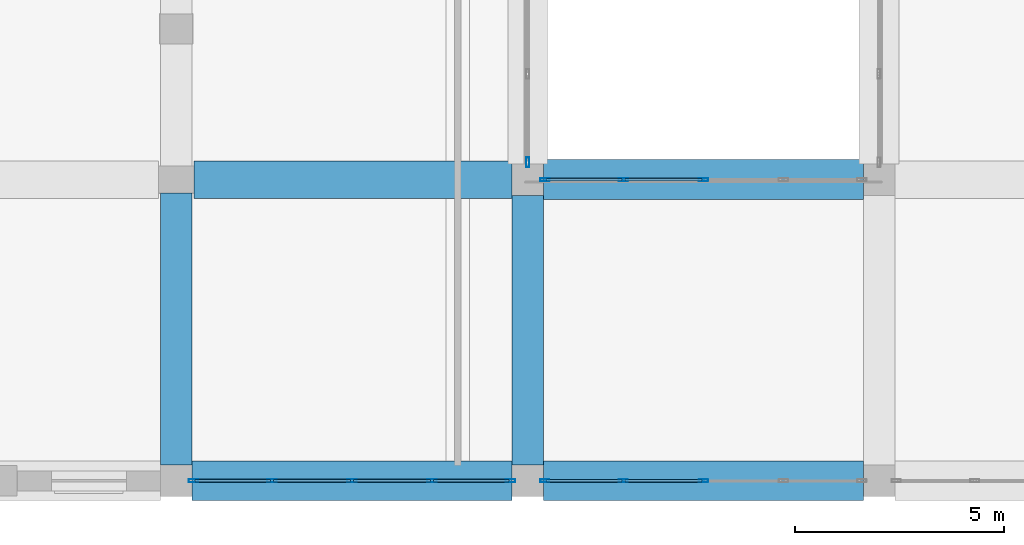
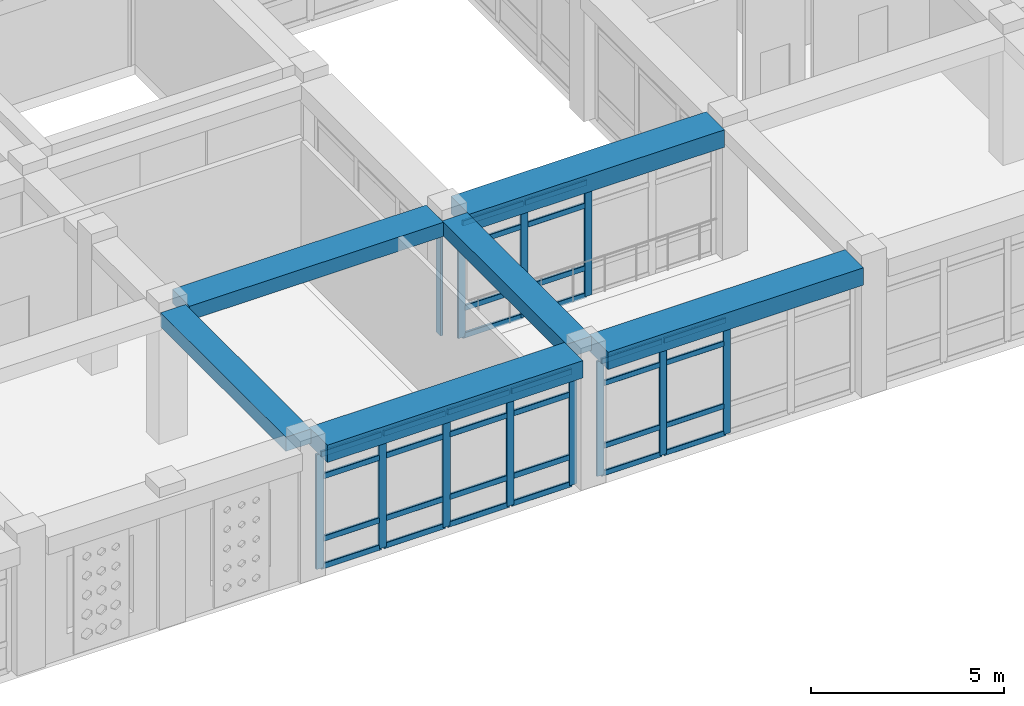
# One storey, part 9 of 121: 44 members, 6 beams, 4 elements without a shape of their own.
"""IFC4 building model written with IfcOpenShell, lengths in metres."""

import ifcopenshell
import ifcopenshell.guid

model = None  # the IFC model being written
_history = None  # IfcOwnerHistory: only IFC2X3 demands one
_inside = {}  # id of a spatial element -> (the spatial element, [elements in it])
_under = {}  # id of a project, library or spatial element -> (it, [spatial elements below it])
_declared = {}  # id of a project -> (the project, [libraries it declares])
_typed = {}  # id of a type object -> (the type object, [elements of that type])
_made_of = {}  # id of a material, layer set ... -> (it, [elements and type objects made of it])


def new_model(schema):
    """Start an empty IFC model of exactly this schema.

    Asked for "IFC4X3", IfcOpenShell would pick the latest addendum, in which some entities
    have other attributes; the version numbers below select the first issue.
    IFC2X3 requires an IfcOwnerHistory on every rooted entity: one is made here for all.
    """
    global model, _history
    if schema == "IFC4X3":
        model = ifcopenshell.file(schema_version=(4, 3, 0, 0))
    else:
        model = ifcopenshell.file(schema=schema)
    _inside.clear()
    _under.clear()
    _declared.clear()
    _typed.clear()
    _made_of.clear()
    _history = None
    if model.schema == "IFC2X3":
        org = make("IfcOrganization", Name="unknown")
        user = make(
            "IfcPersonAndOrganization",
            ThePerson=make("IfcPerson", FamilyName="unknown"),
            TheOrganization=org,
        )
        app = make(
            "IfcApplication",
            ApplicationDeveloper=org,
            Version="unknown",
            ApplicationFullName="unknown",
            ApplicationIdentifier="unknown",
        )
        _history = make(
            "IfcOwnerHistory",
            OwningUser=user,
            OwningApplication=app,
            ChangeAction="ADDED",
            CreationDate=0,
        )
    return model


def make(cls, **values):
    """One entity of the class cls with the attributes given. An attribute that is None is left unset."""
    return model.create_entity(
        cls, **{name: value for name, value in values.items() if value is not None}
    )


def rooted(cls, **values):
    """An entity with a GlobalId (a new one), such as an element, a storey or a relation."""
    return make(cls, GlobalId=ifcopenshell.guid.new(), OwnerHistory=_history, **values)


def si_unit(unit_type, name, prefix=None):
    """IfcSIUnit, for example si_unit("LENGTHUNIT", "METRE", prefix="MILLI")."""
    return make("IfcSIUnit", UnitType=unit_type, Prefix=prefix, Name=name)


def derived_unit(unit_type, elements):
    """IfcDerivedUnit: a product of units, each with its exponent."""
    return make(
        "IfcDerivedUnit",
        Elements=[
            make("IfcDerivedUnitElement", Unit=unit, Exponent=power)
            for unit, power in elements
        ],
        UnitType=unit_type,
    )


def assignment(units):
    """IfcUnitAssignment: the units of a project."""
    return None if units is None else make("IfcUnitAssignment", Units=units)


def point(xyz):
    """IfcCartesianPoint."""
    return None if xyz is None else make("IfcCartesianPoint", Coordinates=xyz)


def direction(xyz):
    """IfcDirection."""
    return None if xyz is None else make("IfcDirection", DirectionRatios=xyz)


def frame(location, z_axis=None, x_axis=None):
    """IfcAxis2Placement3D, a coordinate frame: its origin and axes. An axis left out is left unset."""
    return make(
        "IfcAxis2Placement3D",
        Location=point(location),
        Axis=direction(z_axis),
        RefDirection=direction(x_axis),
    )


def frame_2d(location, x_axis=None):
    """IfcAxis2Placement2D, a coordinate frame in the plane: its origin and x axis."""
    return make(
        "IfcAxis2Placement2D", Location=point(location), RefDirection=direction(x_axis)
    )


def origin():
    """The frame at (0, 0, 0) with its axes left unset."""
    return frame((0.0, 0.0, 0.0))


def origin_2d():
    """The frame at (0, 0) in the plane with its x axis left unset."""
    return frame_2d((0.0, 0.0))


def place(relative_to, where):
    """IfcLocalPlacement: puts the frame where relative to a parent placement (None: the world)."""
    return make(
        "IfcLocalPlacement", PlacementRelTo=relative_to, RelativePlacement=where
    )


def context(
    kind, dimensions, precision=None, world=None, true_north=None, identifier=None
):
    """IfcGeometricRepresentationContext, for example the 3D "Model" context."""
    return make(
        "IfcGeometricRepresentationContext",
        ContextIdentifier=identifier,
        ContextType=kind,
        CoordinateSpaceDimension=dimensions,
        Precision=precision,
        WorldCoordinateSystem=world,
        TrueNorth=true_north,
    )


def subcontext(parent, identifier, kind, view, scale=None):
    """IfcGeometricRepresentationSubContext, for example "Body" below "Model"."""
    return make(
        "IfcGeometricRepresentationSubContext",
        ContextIdentifier=identifier,
        ContextType=kind,
        ParentContext=parent,
        TargetScale=scale,
        TargetView=view,
    )


def project(units=None, contexts=None):
    """IfcProject with its units and contexts."""
    return rooted(
        "IfcProject",
        Name="project",
        RepresentationContexts=contexts,
        UnitsInContext=assignment(units),
    )


def spatial(cls, under=None, at=None, **own):
    """A site, building, storey or space (cls), placed at a placement, below another one or the project."""
    s = rooted(cls, ObjectPlacement=at, **own)
    if under is not None:
        _under.setdefault(under.id(), (under, []))[1].append(s)
    return s


def profile(cls, at=None, kind="AREA", **sizes):
    """A parametric profile (cls). Its sizes go by their IFC names, for example OverallWidth=200.0."""
    return make(cls, ProfileType=kind, Position=at, **sizes)


def rectangle(**sizes):
    """IfcRectangleProfileDef."""
    return profile("IfcRectangleProfileDef", **sizes)


def hollow_rectangle(**sizes):
    """IfcRectangleHollowProfileDef."""
    return profile("IfcRectangleHollowProfileDef", **sizes)


def extrude(swept, where, along, depth):
    """IfcExtrudedAreaSolid: the profile swept, set in the frame where, extruded along a direction by depth."""
    return make(
        "IfcExtrudedAreaSolid",
        SweptArea=swept,
        Position=where,
        ExtrudedDirection=direction(along),
        Depth=depth,
    )


def shape(context_of_items, identifier, shape_type, items):
    """IfcShapeRepresentation: the items that make up one representation, for example the "Body"."""
    return make(
        "IfcShapeRepresentation",
        ContextOfItems=context_of_items,
        RepresentationIdentifier=identifier,
        RepresentationType=shape_type,
        Items=items,
    )


def material(Name=None, Category=None):
    """IfcMaterial."""
    return make("IfcMaterial", Name=Name, Category=Category)


def material_profile(
    of_material, cross_section, Name=None, Category=None, Priority=None
):
    """IfcMaterialProfile: a cross section and its material."""
    return make(
        "IfcMaterialProfile",
        Name=Name,
        Material=of_material,
        Profile=cross_section,
        Priority=Priority,
        Category=Category,
    )


def profile_set(profiles, Name=None, composite=None):
    """IfcMaterialProfileSet."""
    return make(
        "IfcMaterialProfileSet",
        Name=Name,
        MaterialProfiles=profiles,
        CompositeProfile=composite,
    )


def made_of(thing, what):
    """Note that an element or type object is made of a material, layer set ...; save() writes the relation."""
    if what is not None:
        _made_of.setdefault(what.id(), (what, []))[1].append(thing)
    return thing


def type_object(cls, material=None, **own):
    """A type object (cls), such as IfcWallType, which elements share."""
    return made_of(rooted(cls, **own), material)


def element(
    cls,
    number,
    at=None,
    inside=None,
    cuts=None,
    type_object=None,
    material=None,
    context=None,
    identifier="Body",
    shape_type=None,
    held_by="IfcProductDefinitionShape",
    body=None,
    shapes=None,
    **own,
):
    """One element of the class cls, such as IfcWall. Its Tag is "e" and its number.

    at: its placement. inside: the storey or other place that contains it. cuts: it is an
    opening in that element (IfcRelVoidsElement). A single representation is given by context,
    identifier, shape_type and body (its items); several are given by shapes. held_by: the class
    of the entity that holds the representations. save() writes the other relations.
    """
    e = rooted(cls, Tag="e%d" % number, ObjectPlacement=at, **own)
    if body is not None:
        shapes = [shape(context, identifier, shape_type, body)]
    if shapes is not None:
        e.Representation = make(held_by, Representations=shapes)
    if inside is not None:
        _inside.setdefault(inside.id(), (inside, []))[1].append(e)
    if cuts is not None:
        rooted(
            "IfcRelVoidsElement", RelatingBuildingElement=cuts, RelatedOpeningElement=e
        )
    if type_object is not None:
        _typed.setdefault(type_object.id(), (type_object, []))[1].append(e)
    return made_of(e, material)


def aggregate(whole, parts):
    """IfcRelAggregates: a whole, such as a stair, and the parts it consists of."""
    return rooted("IfcRelAggregates", RelatingObject=whole, RelatedObjects=parts)


def save(model, path):
    """Write the relations noted so far, then the file.

    IfcRelAggregates (storeys below a building ...), IfcRelContainedInSpatialStructure (elements
    in a storey), IfcRelDefinesByType, IfcRelAssociatesMaterial and IfcRelDeclares: one each for
    every whole, place, type object, material and project.
    """
    for whole, parts in _under.values():
        aggregate(whole, parts)
    for where, things in _inside.values():
        rooted(
            "IfcRelContainedInSpatialStructure",
            RelatedElements=things,
            RelatingStructure=where,
        )
    for kind, things in _typed.values():
        rooted("IfcRelDefinesByType", RelatedObjects=things, RelatingType=kind)
    for what, things in _made_of.values():
        rooted("IfcRelAssociatesMaterial", RelatedObjects=things, RelatingMaterial=what)
    for by, libraries in _declared.values():
        rooted("IfcRelDeclares", RelatingContext=by, RelatedDefinitions=libraries)
    model.write(path)


model = new_model("IFC4")

# Units and contexts
model_context = context("Model", 3, precision=1e-05, world=origin(), true_north=direction((0.0, 1.0)))
body_context = subcontext(model_context, "Body", "Model", "MODEL_VIEW")
ifc_project = project(units=[si_unit("LENGTHUNIT", "METRE"), si_unit("AREAUNIT", "SQUARE_METRE"), si_unit("VOLUMEUNIT", "CUBIC_METRE"), si_unit("PLANEANGLEUNIT", "RADIAN"), si_unit("MASSUNIT", "GRAM", prefix="KILO"), derived_unit("THERMALTRANSMITTANCEUNIT", [(si_unit("POWERUNIT", "WATT"), 1), (si_unit("LENGTHUNIT", "METRE"), -2), (si_unit("THERMODYNAMICTEMPERATUREUNIT", "KELVIN"), -1)])], contexts=[model_context])

# Site, building, storey
site_placement = place(None, origin())
site = spatial("IfcSite", under=ifc_project, at=site_placement, CompositionType="ELEMENT")
building_placement = place(site_placement, origin())
building = spatial("IfcBuilding", under=site, at=building_placement, Name="Veybourne Emporium", CompositionType="ELEMENT")
storey_placement = place(building_placement, frame((0.0, 0.0, 5.39990234375)))
storey = spatial("IfcBuildingStorey", under=building, at=storey_placement, Name="L01", CompositionType="ELEMENT", Elevation=5.39990234375)

# Curtain wall, members
ifc_material_1 = material(Name="Patinated Architectural Bronze", Category="bronze")
curtain_wall_type_1 = type_object("IfcCurtainWallType", Name="CWSystem_CWS-09", PredefinedType="NOTDEFINED", material=ifc_material_1)
curtain_wall_1_placement = place(storey_placement, origin())
curtain_wall_1 = element("IfcCurtainWall", 1, at=curtain_wall_1_placement, inside=storey, type_object=curtain_wall_type_1, Name="L01 bronze glazed curtain wall CWS-09 (034)", PredefinedType="NOTDEFINED")
ifc_material_profile_1 = material_profile(ifc_material_1, hollow_rectangle(XDim=0.072021484375, YDim=0.22509765625, WallThickness=0.0048828125, InnerFilletRadius=0.007568359375, OuterFilletRadius=0.012451171875, at=origin_2d()), Name="CWM 72x225x5")
ifc_profile_set_1 = profile_set([ifc_material_profile_1], Name="Patinated Architectural Bronze")
member_type_1 = type_object("IfcMemberType", Name="CWMullion_CW-M1", PredefinedType="MULLION", material=ifc_profile_set_1)
member_1_placement = place(storey_placement, frame((59.2109375, 7.199951171875, 0.0), z_axis=(0.0, 0.0, 1.0), x_axis=(0.0, 1.0, 0.0)))
member_1 = element("IfcMember", 2, at=member_1_placement, type_object=member_type_1, Name="CWS-09 mullion 1", PredefinedType="MULLION", context=body_context, shape_type="SweptSolid", body=[
    extrude(hollow_rectangle(XDim=0.072021484375, YDim=0.22509765625, WallThickness=0.0048828125, InnerFilletRadius=0.007568359375, OuterFilletRadius=0.012451171875, at=origin_2d()), origin(), (0.0, 0.0, 1.0), 3.630126953125),
])
member_2_placement = place(storey_placement, frame((61.08740234375, 7.199951171875, 0.0), z_axis=(0.0, 0.0, 1.0), x_axis=(0.0, 1.0, 0.0)))
member_2 = element("IfcMember", 3, at=member_2_placement, type_object=member_type_1, Name="CWS-09 mullion 2", PredefinedType="MULLION", context=body_context, shape_type="SweptSolid", body=[
    extrude(hollow_rectangle(XDim=0.072021484375, YDim=0.22509765625, WallThickness=0.0048828125, InnerFilletRadius=0.007568359375, OuterFilletRadius=0.012451171875, at=origin_2d()), origin(), (0.0, 0.0, 1.0), 3.630126953125),
])
member_3_placement = place(storey_placement, frame((63.0, 7.199951171875, 0.0), z_axis=(0.0, 0.0, 1.0), x_axis=(0.0, 1.0, 0.0)))
member_3 = element("IfcMember", 4, at=member_3_placement, type_object=member_type_1, Name="CWS-09 mullion 3", PredefinedType="MULLION", context=body_context, shape_type="SweptSolid", body=[
    extrude(hollow_rectangle(XDim=0.072021484375, YDim=0.22509765625, WallThickness=0.0048828125, InnerFilletRadius=0.007568359375, OuterFilletRadius=0.012451171875, at=origin_2d()), origin(), (0.0, 0.0, 1.0), 3.630126953125),
])

curtain_wall_type_2 = type_object("IfcCurtainWallType", Name="CWSystem_CWS-06", PredefinedType="NOTDEFINED", material=ifc_material_1)
curtain_wall_2_placement = place(storey_placement, origin())
curtain_wall_2 = element("IfcCurtainWall", 5, at=curtain_wall_2_placement, inside=storey, type_object=curtain_wall_type_2, Name="L01 bronze glazed curtain wall CWS-06 (028)", PredefinedType="NOTDEFINED")
ifc_material_profile_2 = material_profile(ifc_material_1, hollow_rectangle(XDim=0.074951171875, YDim=0.22998046875, WallThickness=0.0048828125, InnerFilletRadius=0.007568359375, OuterFilletRadius=0.012451171875, at=origin_2d()), Name="CWM 75x230x5")
ifc_profile_set_2 = profile_set([ifc_material_profile_2], Name="Patinated Architectural Bronze")
member_type_2 = type_object("IfcMemberType", Name="CWMullion_CW-M2", PredefinedType="MULLION", material=ifc_profile_set_2)
member_4_placement = place(storey_placement, frame((58.387451171875, 0.0, 0.0), z_axis=(0.0, 0.0, 1.0), x_axis=(0.0, -1.0, 0.0)))
member_4 = element("IfcMember", 6, at=member_4_placement, type_object=member_type_2, Name="CWS-06 mullion 1", PredefinedType="MULLION", context=body_context, shape_type="SweptSolid", body=[
    extrude(hollow_rectangle(XDim=0.074951171875, YDim=0.22998046875, WallThickness=0.0048828125, InnerFilletRadius=0.007568359375, OuterFilletRadius=0.012451171875, at=origin_2d()), origin(), (0.0, 0.0, 1.0), 3.630126953125),
])
member_5_placement = place(storey_placement, frame((56.512451171875, 0.0, 0.0), z_axis=(0.0, 0.0, 1.0), x_axis=(0.0, -1.0, 0.0)))
member_5 = element("IfcMember", 7, at=member_5_placement, type_object=member_type_2, Name="CWS-06 mullion 2", PredefinedType="MULLION", context=body_context, shape_type="SweptSolid", body=[
    extrude(hollow_rectangle(XDim=0.074951171875, YDim=0.22998046875, WallThickness=0.0048828125, InnerFilletRadius=0.007568359375, OuterFilletRadius=0.012451171875, at=origin_2d()), origin(), (0.0, 0.0, 1.0), 3.630126953125),
])
member_6_placement = place(storey_placement, frame((54.60009765625, 0.0, 0.0), z_axis=(0.0, 0.0, 1.0), x_axis=(0.0, -1.0, 0.0)))
member_6 = element("IfcMember", 8, at=member_6_placement, type_object=member_type_2, Name="CWS-06 mullion 3", PredefinedType="MULLION", context=body_context, shape_type="SweptSolid", body=[
    extrude(hollow_rectangle(XDim=0.074951171875, YDim=0.22998046875, WallThickness=0.0048828125, InnerFilletRadius=0.007568359375, OuterFilletRadius=0.012451171875, at=origin_2d()), origin(), (0.0, 0.0, 1.0), 3.630126953125),
])
member_7_placement = place(storey_placement, frame((52.6875, 0.0, 0.0), z_axis=(0.0, 0.0, 1.0), x_axis=(0.0, -1.0, 0.0)))
member_7 = element("IfcMember", 9, at=member_7_placement, type_object=member_type_2, Name="CWS-06 mullion 4", PredefinedType="MULLION", context=body_context, shape_type="SweptSolid", body=[
    extrude(hollow_rectangle(XDim=0.074951171875, YDim=0.22998046875, WallThickness=0.0048828125, InnerFilletRadius=0.007568359375, OuterFilletRadius=0.012451171875, at=origin_2d()), origin(), (0.0, 0.0, 1.0), 3.630126953125),
])
member_8_placement = place(storey_placement, frame((50.8125, 0.0, 0.0), z_axis=(0.0, 0.0, 1.0), x_axis=(0.0, -1.0, 0.0)))
member_8 = element("IfcMember", 10, at=member_8_placement, type_object=member_type_2, Name="CWS-06 mullion 5", PredefinedType="MULLION", context=body_context, shape_type="SweptSolid", body=[
    extrude(hollow_rectangle(XDim=0.074951171875, YDim=0.22998046875, WallThickness=0.0048828125, InnerFilletRadius=0.007568359375, OuterFilletRadius=0.012451171875, at=origin_2d()), origin(), (0.0, 0.0, 1.0), 3.630126953125),
])

# Curtain wall, member
curtain_wall_type_3 = type_object("IfcCurtainWallType", Name="CWSystem_CWS-07", PredefinedType="NOTDEFINED", material=ifc_material_1)
curtain_wall_3_placement = place(storey_placement, origin())
curtain_wall_3 = element("IfcCurtainWall", 11, at=curtain_wall_3_placement, inside=storey, type_object=curtain_wall_type_3, Name="L01 bronze glazed curtain wall CWS-07 (029)", PredefinedType="NOTDEFINED")
ifc_material_profile_3 = material_profile(ifc_material_1, hollow_rectangle(XDim=0.077880859375, YDim=0.235107421875, WallThickness=0.0048828125, InnerFilletRadius=0.007568359375, OuterFilletRadius=0.012451171875, at=origin_2d()), Name="CWM 78x235x5")
ifc_profile_set_3 = profile_set([ifc_material_profile_3], Name="Patinated Architectural Bronze")
member_type_3 = type_object("IfcMemberType", Name="CWMullion_CW-M3", PredefinedType="MULLION", material=ifc_profile_set_3)
member_9_placement = place(storey_placement, frame((58.800048828125, 7.614013671875, 0.0), z_axis=(0.0, 0.0, 1.0), x_axis=(1.0, 0.0, 0.0)))
member_9 = element("IfcMember", 12, at=member_9_placement, type_object=member_type_3, Name="CWS-07 mullion 4", PredefinedType="MULLION", context=body_context, shape_type="SweptSolid", body=[
    extrude(hollow_rectangle(XDim=0.077880859375, YDim=0.235107421875, WallThickness=0.0048828125, InnerFilletRadius=0.007568359375, OuterFilletRadius=0.012451171875, at=origin_2d()), origin(), (0.0, 0.0, 1.0), 3.630126953125),
])
aggregate(curtain_wall_3, [member_9])

# Curtain wall, members
curtain_wall_type_4 = type_object("IfcCurtainWallType", Name="CWSystem_CWS-08", PredefinedType="NOTDEFINED", material=ifc_material_1)
curtain_wall_4_placement = place(storey_placement, origin())
curtain_wall_4 = element("IfcCurtainWall", 13, at=curtain_wall_4_placement, inside=storey, type_object=curtain_wall_type_4, Name="L01 bronze glazed curtain wall CWS-08 (033)", PredefinedType="NOTDEFINED")
ifc_material_profile_4 = material_profile(ifc_material_1, hollow_rectangle(XDim=0.070068359375, YDim=0.219970703125, WallThickness=0.0048828125, InnerFilletRadius=0.007568359375, OuterFilletRadius=0.012451171875, at=origin_2d()), Name="CWM 70x220x5")
ifc_profile_set_4 = profile_set([ifc_material_profile_4], Name="Patinated Architectural Bronze")
member_type_4 = type_object("IfcMemberType", Name="CWMullion_CW-M4", PredefinedType="MULLION", material=ifc_profile_set_4)
member_10_placement = place(storey_placement, frame((63.0, 0.0, 0.0), z_axis=(0.0, 0.0, 1.0), x_axis=(0.0, -1.0, 0.0)))
member_10 = element("IfcMember", 14, at=member_10_placement, type_object=member_type_4, Name="CWS-08 mullion 3", PredefinedType="MULLION", context=body_context, shape_type="SweptSolid", body=[
    extrude(hollow_rectangle(XDim=0.070068359375, YDim=0.219970703125, WallThickness=0.0048828125, InnerFilletRadius=0.007568359375, OuterFilletRadius=0.012451171875, at=origin_2d()), origin(), (0.0, 0.0, 1.0), 3.630126953125),
])
member_11_placement = place(storey_placement, frame((61.08740234375, 0.0, 0.0), z_axis=(0.0, 0.0, 1.0), x_axis=(0.0, -1.0, 0.0)))
member_11 = element("IfcMember", 15, at=member_11_placement, type_object=member_type_4, Name="CWS-08 mullion 4", PredefinedType="MULLION", context=body_context, shape_type="SweptSolid", body=[
    extrude(hollow_rectangle(XDim=0.070068359375, YDim=0.219970703125, WallThickness=0.0048828125, InnerFilletRadius=0.007568359375, OuterFilletRadius=0.012451171875, at=origin_2d()), origin(), (0.0, 0.0, 1.0), 3.630126953125),
])
member_12_placement = place(storey_placement, frame((59.2099609375, 0.0, 0.0), z_axis=(0.0, 0.0, 1.0), x_axis=(0.0, -1.0, 0.0)))
member_12 = element("IfcMember", 16, at=member_12_placement, type_object=member_type_4, Name="CWS-08 mullion 5", PredefinedType="MULLION", context=body_context, shape_type="SweptSolid", body=[
    extrude(hollow_rectangle(XDim=0.070068359375, YDim=0.219970703125, WallThickness=0.0048828125, InnerFilletRadius=0.007568359375, OuterFilletRadius=0.012451171875, at=origin_2d()), origin(), (0.0, 0.0, 1.0), 3.630126953125),
])

# Member
ifc_material_profile_5 = material_profile(ifc_material_1, hollow_rectangle(XDim=0.072021484375, YDim=0.175048828125, WallThickness=0.0048828125, InnerFilletRadius=0.007568359375, OuterFilletRadius=0.012451171875, at=origin_2d()), Name="CWT 72x175x5")
ifc_profile_set_5 = profile_set([ifc_material_profile_5], Name="Patinated Architectural Bronze")
member_type_5 = type_object("IfcMemberType", Name="CWTransom_CW-T1", PredefinedType="NOTDEFINED", material=ifc_profile_set_5)
member_13_placement = place(storey_placement, frame((59.2470703125, 7.199951171875, 0.0361328125), z_axis=(1.0, 0.0, 0.0), x_axis=(0.0, 1.0, 0.0)))
member_13 = element("IfcMember", 17, at=member_13_placement, type_object=member_type_5, Name="CWS-09 transom 1.1", ObjectType="TRANSOM", PredefinedType="USERDEFINED", context=body_context, shape_type="SweptSolid", body=[
    extrude(hollow_rectangle(XDim=0.072021484375, YDim=0.175048828125, WallThickness=0.0048828125, InnerFilletRadius=0.007568359375, OuterFilletRadius=0.012451171875, at=origin_2d()), origin(), (0.0, 0.0, 1.0), 1.804443359375),
])

member_14_placement = place(storey_placement, frame((59.2470703125, 7.199951171875, 0.900146484375), z_axis=(1.0, 0.0, 0.0), x_axis=(0.0, 1.0, 0.0)))
member_14 = element("IfcMember", 18, at=member_14_placement, type_object=member_type_5, Name="CWS-09 transom 1.2", ObjectType="TRANSOM", PredefinedType="USERDEFINED", context=body_context, shape_type="SweptSolid", body=[
    extrude(hollow_rectangle(XDim=0.072021484375, YDim=0.175048828125, WallThickness=0.0048828125, InnerFilletRadius=0.007568359375, OuterFilletRadius=0.012451171875, at=origin_2d()), origin(), (0.0, 0.0, 1.0), 1.804443359375),
])

member_15_placement = place(storey_placement, frame((59.2470703125, 7.199951171875, 2.880126953125), z_axis=(1.0, 0.0, 0.0), x_axis=(0.0, 1.0, 0.0)))
member_15 = element("IfcMember", 19, at=member_15_placement, type_object=member_type_5, Name="CWS-09 transom 1.3", ObjectType="TRANSOM", PredefinedType="USERDEFINED", context=body_context, shape_type="SweptSolid", body=[
    extrude(hollow_rectangle(XDim=0.072021484375, YDim=0.175048828125, WallThickness=0.0048828125, InnerFilletRadius=0.007568359375, OuterFilletRadius=0.012451171875, at=origin_2d()), origin(), (0.0, 0.0, 1.0), 1.804443359375),
])

member_16_placement = place(storey_placement, frame((59.2470703125, 7.199951171875, 3.593994140625), z_axis=(1.0, 0.0, 0.0), x_axis=(0.0, 1.0, 0.0)))
member_16 = element("IfcMember", 20, at=member_16_placement, type_object=member_type_5, Name="CWS-09 transom 1.4", ObjectType="TRANSOM", PredefinedType="USERDEFINED", context=body_context, shape_type="SweptSolid", body=[
    extrude(hollow_rectangle(XDim=0.072021484375, YDim=0.175048828125, WallThickness=0.0048828125, InnerFilletRadius=0.007568359375, OuterFilletRadius=0.012451171875, at=origin_2d()), origin(), (0.0, 0.0, 1.0), 1.804443359375),
])

member_17_placement = place(storey_placement, frame((61.12353515625, 7.199951171875, 0.0361328125), z_axis=(1.0, 0.0, 0.0), x_axis=(0.0, 1.0, 0.0)))
member_17 = element("IfcMember", 21, at=member_17_placement, type_object=member_type_5, Name="CWS-09 transom 2.1", ObjectType="TRANSOM", PredefinedType="USERDEFINED", context=body_context, shape_type="SweptSolid", body=[
    extrude(hollow_rectangle(XDim=0.072021484375, YDim=0.175048828125, WallThickness=0.0048828125, InnerFilletRadius=0.007568359375, OuterFilletRadius=0.012451171875, at=origin_2d()), origin(), (0.0, 0.0, 1.0), 1.840576171875),
])

member_18_placement = place(storey_placement, frame((61.12353515625, 7.199951171875, 0.900146484375), z_axis=(1.0, 0.0, 0.0), x_axis=(0.0, 1.0, 0.0)))
member_18 = element("IfcMember", 22, at=member_18_placement, type_object=member_type_5, Name="CWS-09 transom 2.2", ObjectType="TRANSOM", PredefinedType="USERDEFINED", context=body_context, shape_type="SweptSolid", body=[
    extrude(hollow_rectangle(XDim=0.072021484375, YDim=0.175048828125, WallThickness=0.0048828125, InnerFilletRadius=0.007568359375, OuterFilletRadius=0.012451171875, at=origin_2d()), origin(), (0.0, 0.0, 1.0), 1.840576171875),
])

member_19_placement = place(storey_placement, frame((61.12353515625, 7.199951171875, 2.880126953125), z_axis=(1.0, 0.0, 0.0), x_axis=(0.0, 1.0, 0.0)))
member_19 = element("IfcMember", 23, at=member_19_placement, type_object=member_type_5, Name="CWS-09 transom 2.3", ObjectType="TRANSOM", PredefinedType="USERDEFINED", context=body_context, shape_type="SweptSolid", body=[
    extrude(hollow_rectangle(XDim=0.072021484375, YDim=0.175048828125, WallThickness=0.0048828125, InnerFilletRadius=0.007568359375, OuterFilletRadius=0.012451171875, at=origin_2d()), origin(), (0.0, 0.0, 1.0), 1.840576171875),
])

member_20_placement = place(storey_placement, frame((61.12353515625, 7.199951171875, 3.593994140625), z_axis=(1.0, 0.0, 0.0), x_axis=(0.0, 1.0, 0.0)))
member_20 = element("IfcMember", 24, at=member_20_placement, type_object=member_type_5, Name="CWS-09 transom 2.4", ObjectType="TRANSOM", PredefinedType="USERDEFINED", context=body_context, shape_type="SweptSolid", body=[
    extrude(hollow_rectangle(XDim=0.072021484375, YDim=0.175048828125, WallThickness=0.0048828125, InnerFilletRadius=0.007568359375, OuterFilletRadius=0.012451171875, at=origin_2d()), origin(), (0.0, 0.0, 1.0), 1.840576171875),
])

aggregate(curtain_wall_1, [member_1, member_2, member_3, member_13, member_14, member_15, member_16, member_17, member_18, member_19, member_20])

ifc_material_profile_6 = material_profile(ifc_material_1, hollow_rectangle(XDim=0.074951171875, YDim=0.179931640625, WallThickness=0.0048828125, InnerFilletRadius=0.007568359375, OuterFilletRadius=0.012451171875, at=origin_2d()), Name="CWT 75x180x5")
ifc_profile_set_6 = profile_set([ifc_material_profile_6], Name="Patinated Architectural Bronze")
member_type_6 = type_object("IfcMemberType", Name="CWTransom_CW-T2", PredefinedType="NOTDEFINED", material=ifc_profile_set_6)
member_21_placement = place(storey_placement, frame((58.35009765625, 0.0, 0.03759765625), z_axis=(-1.0, 0.0, 0.0), x_axis=(0.0, -1.0, 0.0)))
member_21 = element("IfcMember", 25, at=member_21_placement, type_object=member_type_6, Name="CWS-06 transom 1.1", ObjectType="TRANSOM", PredefinedType="USERDEFINED", context=body_context, shape_type="SweptSolid", body=[
    extrude(hollow_rectangle(XDim=0.074951171875, YDim=0.179931640625, WallThickness=0.0048828125, InnerFilletRadius=0.007568359375, OuterFilletRadius=0.012451171875, at=origin_2d()), origin(), (0.0, 0.0, 1.0), 1.800048828125),
])

member_22_placement = place(storey_placement, frame((58.35009765625, 0.0, 0.900146484375), z_axis=(-1.0, 0.0, 0.0), x_axis=(0.0, -1.0, 0.0)))
member_22 = element("IfcMember", 26, at=member_22_placement, type_object=member_type_6, Name="CWS-06 transom 1.2", ObjectType="TRANSOM", PredefinedType="USERDEFINED", context=body_context, shape_type="SweptSolid", body=[
    extrude(hollow_rectangle(XDim=0.074951171875, YDim=0.179931640625, WallThickness=0.0048828125, InnerFilletRadius=0.007568359375, OuterFilletRadius=0.012451171875, at=origin_2d()), origin(), (0.0, 0.0, 1.0), 1.800048828125),
])

member_23_placement = place(storey_placement, frame((58.35009765625, 0.0, 2.880126953125), z_axis=(-1.0, 0.0, 0.0), x_axis=(0.0, -1.0, 0.0)))
member_23 = element("IfcMember", 27, at=member_23_placement, type_object=member_type_6, Name="CWS-06 transom 1.3", ObjectType="TRANSOM", PredefinedType="USERDEFINED", context=body_context, shape_type="SweptSolid", body=[
    extrude(hollow_rectangle(XDim=0.074951171875, YDim=0.179931640625, WallThickness=0.0048828125, InnerFilletRadius=0.007568359375, OuterFilletRadius=0.012451171875, at=origin_2d()), origin(), (0.0, 0.0, 1.0), 1.800048828125),
])

member_24_placement = place(storey_placement, frame((58.35009765625, 0.0, 3.592529296875), z_axis=(-1.0, 0.0, 0.0), x_axis=(0.0, -1.0, 0.0)))
member_24 = element("IfcMember", 28, at=member_24_placement, type_object=member_type_6, Name="CWS-06 transom 1.4", ObjectType="TRANSOM", PredefinedType="USERDEFINED", context=body_context, shape_type="SweptSolid", body=[
    extrude(hollow_rectangle(XDim=0.074951171875, YDim=0.179931640625, WallThickness=0.0048828125, InnerFilletRadius=0.007568359375, OuterFilletRadius=0.012451171875, at=origin_2d()), origin(), (0.0, 0.0, 1.0), 1.800048828125),
])

member_25_placement = place(storey_placement, frame((56.47509765625, 0.0, 0.03759765625), z_axis=(-1.0, 0.0, 0.0), x_axis=(0.0, -1.0, 0.0)))
member_25 = element("IfcMember", 29, at=member_25_placement, type_object=member_type_6, Name="CWS-06 transom 2.1", ObjectType="TRANSOM", PredefinedType="USERDEFINED", context=body_context, shape_type="SweptSolid", body=[
    extrude(hollow_rectangle(XDim=0.074951171875, YDim=0.179931640625, WallThickness=0.0048828125, InnerFilletRadius=0.007568359375, OuterFilletRadius=0.012451171875, at=origin_2d()), origin(), (0.0, 0.0, 1.0), 1.837646484375),
])

member_26_placement = place(storey_placement, frame((56.47509765625, 0.0, 0.900146484375), z_axis=(-1.0, 0.0, 0.0), x_axis=(0.0, -1.0, 0.0)))
member_26 = element("IfcMember", 30, at=member_26_placement, type_object=member_type_6, Name="CWS-06 transom 2.2", ObjectType="TRANSOM", PredefinedType="USERDEFINED", context=body_context, shape_type="SweptSolid", body=[
    extrude(hollow_rectangle(XDim=0.074951171875, YDim=0.179931640625, WallThickness=0.0048828125, InnerFilletRadius=0.007568359375, OuterFilletRadius=0.012451171875, at=origin_2d()), origin(), (0.0, 0.0, 1.0), 1.837646484375),
])

member_27_placement = place(storey_placement, frame((56.47509765625, 0.0, 2.880126953125), z_axis=(-1.0, 0.0, 0.0), x_axis=(0.0, -1.0, 0.0)))
member_27 = element("IfcMember", 31, at=member_27_placement, type_object=member_type_6, Name="CWS-06 transom 2.3", ObjectType="TRANSOM", PredefinedType="USERDEFINED", context=body_context, shape_type="SweptSolid", body=[
    extrude(hollow_rectangle(XDim=0.074951171875, YDim=0.179931640625, WallThickness=0.0048828125, InnerFilletRadius=0.007568359375, OuterFilletRadius=0.012451171875, at=origin_2d()), origin(), (0.0, 0.0, 1.0), 1.837646484375),
])

member_28_placement = place(storey_placement, frame((56.47509765625, 0.0, 3.592529296875), z_axis=(-1.0, 0.0, 0.0), x_axis=(0.0, -1.0, 0.0)))
member_28 = element("IfcMember", 32, at=member_28_placement, type_object=member_type_6, Name="CWS-06 transom 2.4", ObjectType="TRANSOM", PredefinedType="USERDEFINED", context=body_context, shape_type="SweptSolid", body=[
    extrude(hollow_rectangle(XDim=0.074951171875, YDim=0.179931640625, WallThickness=0.0048828125, InnerFilletRadius=0.007568359375, OuterFilletRadius=0.012451171875, at=origin_2d()), origin(), (0.0, 0.0, 1.0), 1.837646484375),
])

member_29_placement = place(storey_placement, frame((54.5625, 0.0, 0.03759765625), z_axis=(-1.0, 0.0, 0.0), x_axis=(0.0, -1.0, 0.0)))
member_29 = element("IfcMember", 33, at=member_29_placement, type_object=member_type_6, Name="CWS-06 transom 3.1", ObjectType="TRANSOM", PredefinedType="USERDEFINED", context=body_context, shape_type="SweptSolid", body=[
    extrude(hollow_rectangle(XDim=0.074951171875, YDim=0.179931640625, WallThickness=0.0048828125, InnerFilletRadius=0.007568359375, OuterFilletRadius=0.012451171875, at=origin_2d()), origin(), (0.0, 0.0, 1.0), 1.83740234375),
])

member_30_placement = place(storey_placement, frame((54.5625, 0.0, 0.900146484375), z_axis=(-1.0, 0.0, 0.0), x_axis=(0.0, -1.0, 0.0)))
member_30 = element("IfcMember", 34, at=member_30_placement, type_object=member_type_6, Name="CWS-06 transom 3.2", ObjectType="TRANSOM", PredefinedType="USERDEFINED", context=body_context, shape_type="SweptSolid", body=[
    extrude(hollow_rectangle(XDim=0.074951171875, YDim=0.179931640625, WallThickness=0.0048828125, InnerFilletRadius=0.007568359375, OuterFilletRadius=0.012451171875, at=origin_2d()), origin(), (0.0, 0.0, 1.0), 1.83740234375),
])

member_31_placement = place(storey_placement, frame((54.5625, 0.0, 2.880126953125), z_axis=(-1.0, 0.0, 0.0), x_axis=(0.0, -1.0, 0.0)))
member_31 = element("IfcMember", 35, at=member_31_placement, type_object=member_type_6, Name="CWS-06 transom 3.3", ObjectType="TRANSOM", PredefinedType="USERDEFINED", context=body_context, shape_type="SweptSolid", body=[
    extrude(hollow_rectangle(XDim=0.074951171875, YDim=0.179931640625, WallThickness=0.0048828125, InnerFilletRadius=0.007568359375, OuterFilletRadius=0.012451171875, at=origin_2d()), origin(), (0.0, 0.0, 1.0), 1.83740234375),
])

member_32_placement = place(storey_placement, frame((54.5625, 0.0, 3.592529296875), z_axis=(-1.0, 0.0, 0.0), x_axis=(0.0, -1.0, 0.0)))
member_32 = element("IfcMember", 36, at=member_32_placement, type_object=member_type_6, Name="CWS-06 transom 3.4", ObjectType="TRANSOM", PredefinedType="USERDEFINED", context=body_context, shape_type="SweptSolid", body=[
    extrude(hollow_rectangle(XDim=0.074951171875, YDim=0.179931640625, WallThickness=0.0048828125, InnerFilletRadius=0.007568359375, OuterFilletRadius=0.012451171875, at=origin_2d()), origin(), (0.0, 0.0, 1.0), 1.83740234375),
])

member_33_placement = place(storey_placement, frame((52.64990234375, 0.0, 0.03759765625), z_axis=(-1.0, 0.0, 0.0), x_axis=(0.0, -1.0, 0.0)))
member_33 = element("IfcMember", 37, at=member_33_placement, type_object=member_type_6, Name="CWS-06 transom 4.1", ObjectType="TRANSOM", PredefinedType="USERDEFINED", context=body_context, shape_type="SweptSolid", body=[
    extrude(hollow_rectangle(XDim=0.074951171875, YDim=0.179931640625, WallThickness=0.0048828125, InnerFilletRadius=0.007568359375, OuterFilletRadius=0.012451171875, at=origin_2d()), origin(), (0.0, 0.0, 1.0), 1.7998046875),
])

member_34_placement = place(storey_placement, frame((52.64990234375, 0.0, 0.900146484375), z_axis=(-1.0, 0.0, 0.0), x_axis=(0.0, -1.0, 0.0)))
member_34 = element("IfcMember", 38, at=member_34_placement, type_object=member_type_6, Name="CWS-06 transom 4.2", ObjectType="TRANSOM", PredefinedType="USERDEFINED", context=body_context, shape_type="SweptSolid", body=[
    extrude(hollow_rectangle(XDim=0.074951171875, YDim=0.179931640625, WallThickness=0.0048828125, InnerFilletRadius=0.007568359375, OuterFilletRadius=0.012451171875, at=origin_2d()), origin(), (0.0, 0.0, 1.0), 1.7998046875),
])

member_35_placement = place(storey_placement, frame((52.64990234375, 0.0, 2.880126953125), z_axis=(-1.0, 0.0, 0.0), x_axis=(0.0, -1.0, 0.0)))
member_35 = element("IfcMember", 39, at=member_35_placement, type_object=member_type_6, Name="CWS-06 transom 4.3", ObjectType="TRANSOM", PredefinedType="USERDEFINED", context=body_context, shape_type="SweptSolid", body=[
    extrude(hollow_rectangle(XDim=0.074951171875, YDim=0.179931640625, WallThickness=0.0048828125, InnerFilletRadius=0.007568359375, OuterFilletRadius=0.012451171875, at=origin_2d()), origin(), (0.0, 0.0, 1.0), 1.7998046875),
])

member_36_placement = place(storey_placement, frame((52.64990234375, 0.0, 3.592529296875), z_axis=(-1.0, 0.0, 0.0), x_axis=(0.0, -1.0, 0.0)))
member_36 = element("IfcMember", 40, at=member_36_placement, type_object=member_type_6, Name="CWS-06 transom 4.4", ObjectType="TRANSOM", PredefinedType="USERDEFINED", context=body_context, shape_type="SweptSolid", body=[
    extrude(hollow_rectangle(XDim=0.074951171875, YDim=0.179931640625, WallThickness=0.0048828125, InnerFilletRadius=0.007568359375, OuterFilletRadius=0.012451171875, at=origin_2d()), origin(), (0.0, 0.0, 1.0), 1.7998046875),
])

aggregate(curtain_wall_2, [member_4, member_5, member_6, member_7, member_8, member_21, member_22, member_23, member_24, member_25, member_26, member_27, member_28, member_29, member_30, member_31, member_32, member_33, member_34, member_35, member_36])

ifc_material_profile_7 = material_profile(ifc_material_1, hollow_rectangle(XDim=0.070068359375, YDim=0.169921875, WallThickness=0.0048828125, InnerFilletRadius=0.007568359375, OuterFilletRadius=0.012451171875, at=origin_2d()), Name="CWT 70x170x5")
ifc_profile_set_7 = profile_set([ifc_material_profile_7], Name="Patinated Architectural Bronze")
member_type_7 = type_object("IfcMemberType", Name="CWTransom_CW-T4", PredefinedType="NOTDEFINED", material=ifc_profile_set_7)
member_37_placement = place(storey_placement, frame((62.965087890625, 0.0, 0.03515625), z_axis=(-1.0, 0.0, 0.0), x_axis=(0.0, -1.0, 0.0)))
member_37 = element("IfcMember", 41, at=member_37_placement, type_object=member_type_7, Name="CWS-08 transom 3.1", ObjectType="TRANSOM", PredefinedType="USERDEFINED", context=body_context, shape_type="SweptSolid", body=[
    extrude(hollow_rectangle(XDim=0.070068359375, YDim=0.169921875, WallThickness=0.0048828125, InnerFilletRadius=0.007568359375, OuterFilletRadius=0.012451171875, at=origin_2d()), origin(), (0.0, 0.0, 1.0), 1.842529296875),
])

member_38_placement = place(storey_placement, frame((62.965087890625, 0.0, 0.900146484375), z_axis=(-1.0, 0.0, 0.0), x_axis=(0.0, -1.0, 0.0)))
member_38 = element("IfcMember", 42, at=member_38_placement, type_object=member_type_7, Name="CWS-08 transom 3.2", ObjectType="TRANSOM", PredefinedType="USERDEFINED", context=body_context, shape_type="SweptSolid", body=[
    extrude(hollow_rectangle(XDim=0.070068359375, YDim=0.169921875, WallThickness=0.0048828125, InnerFilletRadius=0.007568359375, OuterFilletRadius=0.012451171875, at=origin_2d()), origin(), (0.0, 0.0, 1.0), 1.842529296875),
])

member_39_placement = place(storey_placement, frame((62.965087890625, 0.0, 2.880126953125), z_axis=(-1.0, 0.0, 0.0), x_axis=(0.0, -1.0, 0.0)))
member_39 = element("IfcMember", 43, at=member_39_placement, type_object=member_type_7, Name="CWS-08 transom 3.3", ObjectType="TRANSOM", PredefinedType="USERDEFINED", context=body_context, shape_type="SweptSolid", body=[
    extrude(hollow_rectangle(XDim=0.070068359375, YDim=0.169921875, WallThickness=0.0048828125, InnerFilletRadius=0.007568359375, OuterFilletRadius=0.012451171875, at=origin_2d()), origin(), (0.0, 0.0, 1.0), 1.842529296875),
])

member_40_placement = place(storey_placement, frame((62.965087890625, 0.0, 3.59521484375), z_axis=(-1.0, 0.0, 0.0), x_axis=(0.0, -1.0, 0.0)))
member_40 = element("IfcMember", 44, at=member_40_placement, type_object=member_type_7, Name="CWS-08 transom 3.4", ObjectType="TRANSOM", PredefinedType="USERDEFINED", context=body_context, shape_type="SweptSolid", body=[
    extrude(hollow_rectangle(XDim=0.070068359375, YDim=0.169921875, WallThickness=0.0048828125, InnerFilletRadius=0.007568359375, OuterFilletRadius=0.012451171875, at=origin_2d()), origin(), (0.0, 0.0, 1.0), 1.842529296875),
])

member_41_placement = place(storey_placement, frame((61.052490234375, 0.0, 0.03515625), z_axis=(-1.0, 0.0, 0.0), x_axis=(0.0, -1.0, 0.0)))
member_41 = element("IfcMember", 45, at=member_41_placement, type_object=member_type_7, Name="CWS-08 transom 4.1", ObjectType="TRANSOM", PredefinedType="USERDEFINED", context=body_context, shape_type="SweptSolid", body=[
    extrude(hollow_rectangle(XDim=0.070068359375, YDim=0.169921875, WallThickness=0.0048828125, InnerFilletRadius=0.007568359375, OuterFilletRadius=0.012451171875, at=origin_2d()), origin(), (0.0, 0.0, 1.0), 1.807373046875),
])

member_42_placement = place(storey_placement, frame((61.052490234375, 0.0, 0.900146484375), z_axis=(-1.0, 0.0, 0.0), x_axis=(0.0, -1.0, 0.0)))
member_42 = element("IfcMember", 46, at=member_42_placement, type_object=member_type_7, Name="CWS-08 transom 4.2", ObjectType="TRANSOM", PredefinedType="USERDEFINED", context=body_context, shape_type="SweptSolid", body=[
    extrude(hollow_rectangle(XDim=0.070068359375, YDim=0.169921875, WallThickness=0.0048828125, InnerFilletRadius=0.007568359375, OuterFilletRadius=0.012451171875, at=origin_2d()), origin(), (0.0, 0.0, 1.0), 1.807373046875),
])

member_43_placement = place(storey_placement, frame((61.052490234375, 0.0, 2.880126953125), z_axis=(-1.0, 0.0, 0.0), x_axis=(0.0, -1.0, 0.0)))
member_43 = element("IfcMember", 47, at=member_43_placement, type_object=member_type_7, Name="CWS-08 transom 4.3", ObjectType="TRANSOM", PredefinedType="USERDEFINED", context=body_context, shape_type="SweptSolid", body=[
    extrude(hollow_rectangle(XDim=0.070068359375, YDim=0.169921875, WallThickness=0.0048828125, InnerFilletRadius=0.007568359375, OuterFilletRadius=0.012451171875, at=origin_2d()), origin(), (0.0, 0.0, 1.0), 1.807373046875),
])

member_44_placement = place(storey_placement, frame((61.052490234375, 0.0, 3.59521484375), z_axis=(-1.0, 0.0, 0.0), x_axis=(0.0, -1.0, 0.0)))
member_44 = element("IfcMember", 48, at=member_44_placement, type_object=member_type_7, Name="CWS-08 transom 4.4", ObjectType="TRANSOM", PredefinedType="USERDEFINED", context=body_context, shape_type="SweptSolid", body=[
    extrude(hollow_rectangle(XDim=0.070068359375, YDim=0.169921875, WallThickness=0.0048828125, InnerFilletRadius=0.007568359375, OuterFilletRadius=0.012451171875, at=origin_2d()), origin(), (0.0, 0.0, 1.0), 1.807373046875),
])

aggregate(curtain_wall_4, [member_10, member_11, member_12, member_37, member_38, member_39, member_40, member_41, member_42, member_43, member_44])

# Beams
ifc_material_2 = material(Name="Concrete C32/40", Category="concrete")
ifc_material_profile_8 = material_profile(ifc_material_2, rectangle(XDim=0.89990234375, YDim=0.449951171875, at=origin_2d()), Name="RC 900x450")
ifc_profile_set_8 = profile_set([ifc_material_profile_8], Name="Concrete C32/40")
beam_type_1 = type_object("IfcBeamType", Name="RCBeam_BB-03", PredefinedType="BEAM", material=ifc_profile_set_8)
beam_1_placement = place(storey_placement, frame((50.824951171875, 7.199951171875, 3.955078125), z_axis=(1.0, 0.0, 0.0), x_axis=(0.0, 1.0, 0.0)))
element("IfcBeam", 49, at=beam_1_placement, inside=storey, type_object=beam_type_1, Name="L01 X-grid beam BB-03 (6,1)", PredefinedType="BEAM", context=body_context, shape_type="SweptSolid", body=[
    extrude(rectangle(XDim=0.89990234375, YDim=0.449951171875, at=origin_2d()), origin(), (0.0, 0.0, 1.0), 7.60009765625),
])
ifc_material_profile_9 = material_profile(ifc_material_2, rectangle(XDim=0.75, YDim=0.449951171875, at=origin_2d()), Name="RC 750x450")
ifc_profile_set_9 = profile_set([ifc_material_profile_9], Name="Concrete C32/40")
beam_type_2 = type_object("IfcBeamType", Name="RCBeam_BB-04", PredefinedType="BEAM", material=ifc_profile_set_9)
beam_2_placement = place(storey_placement, frame((50.39990234375, 0.375, 3.955078125), z_axis=(0.0, 1.0, 0.0), x_axis=(-1.0, 0.0, 0.0)))
element("IfcBeam", 50, at=beam_2_placement, inside=storey, type_object=beam_type_2, Name="L01 Y-grid beam BB-04 (6,0)", PredefinedType="BEAM", context=body_context, shape_type="SweptSolid", body=[
    extrude(rectangle(XDim=0.75, YDim=0.449951171875, at=origin_2d()), origin(), (0.0, 0.0, 1.0), 6.5),
])
beam_3_placement = place(storey_placement, frame((58.800048828125, 0.375, 3.955078125), z_axis=(0.0, 1.0, 0.0), x_axis=(-1.0, 0.0, 0.0)))
element("IfcBeam", 51, at=beam_3_placement, inside=storey, type_object=beam_type_2, Name="L01 Y-grid beam BB-04 (7,0)", PredefinedType="BEAM", context=body_context, shape_type="SweptSolid", body=[
    extrude(rectangle(XDim=0.75, YDim=0.449951171875, at=origin_2d()), origin(), (0.0, 0.0, 1.0), 6.449951171875),
])
ifc_material_profile_10 = material_profile(ifc_material_2, rectangle(XDim=0.949951171875, YDim=0.550048828125, at=origin_2d()), Name="RC 950x550")
ifc_profile_set_10 = profile_set([ifc_material_profile_10], Name="Concrete C32/40")
beam_type_3 = type_object("IfcBeamType", Name="RCBeam_EB-01", PredefinedType="SPANDREL", material=ifc_profile_set_10)
beam_4_placement = place(storey_placement, frame((50.77490234375, 0.0, 3.905029296875), z_axis=(1.0, 0.0, 0.0), x_axis=(0.0, 1.0, 0.0)))
element("IfcBeam", 52, at=beam_4_placement, inside=storey, type_object=beam_type_3, Name="L01 X-grid beam EB-01 (6,0)", PredefinedType="SPANDREL", context=body_context, shape_type="SweptSolid", body=[
    extrude(rectangle(XDim=0.949951171875, YDim=0.550048828125, at=origin_2d()), origin(), (0.0, 0.0, 1.0), 7.650146484375),
])
for number, where, z_axis, x_axis, name in (
    (53, (59.175048828125, 0.0, 3.905029296875), (1.0, 0.0, 0.0), (0.0, 1.0, 0.0), "L01 X-grid beam EB-01 (7,0)"),
    (54, (59.175048828125, 7.199951171875, 3.905029296875), (1.0, 0.0, 0.0), (0.0, 1.0, 0.0), "L01 X-grid beam EB-01 (7,1)"),
):
    element("IfcBeam", number, at=place(storey_placement, frame(where, z_axis=z_axis, x_axis=x_axis)), inside=storey, type_object=beam_type_3, Name=name, PredefinedType="SPANDREL", context=body_context, shape_type="SweptSolid", body=[
        extrude(rectangle(XDim=0.949951171875, YDim=0.550048828125, at=origin_2d()), origin(), (0.0, 0.0, 1.0), 7.64990234375),
    ])

save(model, "model.ifc")
